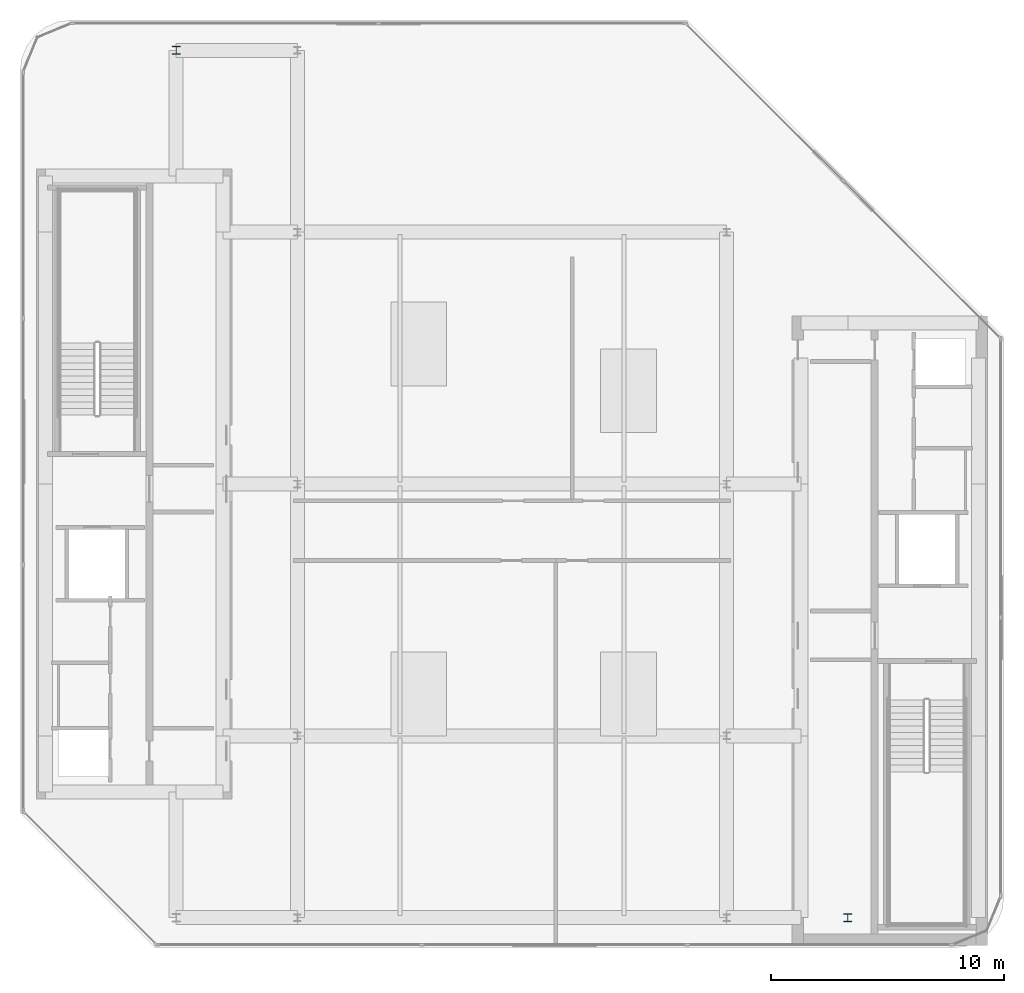
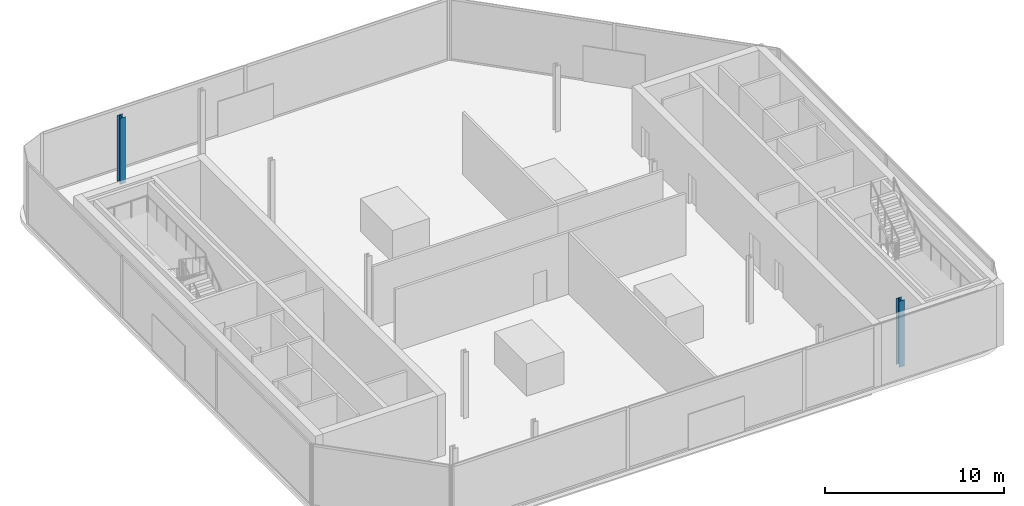
# One storey, part 2 of 15: 2 columns.
"""IFC4 building model written with IfcOpenShell, lengths in metres."""

import ifcopenshell
import ifcopenshell.guid

model = None  # the IFC model being written
_history = None  # IfcOwnerHistory: only IFC2X3 demands one
_inside = {}  # id of a spatial element -> (the spatial element, [elements in it])
_under = {}  # id of a project, library or spatial element -> (it, [spatial elements below it])
_declared = {}  # id of a project -> (the project, [libraries it declares])
_typed = {}  # id of a type object -> (the type object, [elements of that type])
_made_of = {}  # id of a material, layer set ... -> (it, [elements and type objects made of it])


def new_model(schema):
    """Start an empty IFC model of exactly this schema.

    Asked for "IFC4X3", IfcOpenShell would pick the latest addendum, in which some entities
    have other attributes; the version numbers below select the first issue.
    IFC2X3 requires an IfcOwnerHistory on every rooted entity: one is made here for all.
    """
    global model, _history
    if schema == "IFC4X3":
        model = ifcopenshell.file(schema_version=(4, 3, 0, 0))
    else:
        model = ifcopenshell.file(schema=schema)
    _inside.clear()
    _under.clear()
    _declared.clear()
    _typed.clear()
    _made_of.clear()
    _history = None
    if model.schema == "IFC2X3":
        org = make("IfcOrganization", Name="unknown")
        user = make(
            "IfcPersonAndOrganization",
            ThePerson=make("IfcPerson", FamilyName="unknown"),
            TheOrganization=org,
        )
        app = make(
            "IfcApplication",
            ApplicationDeveloper=org,
            Version="unknown",
            ApplicationFullName="unknown",
            ApplicationIdentifier="unknown",
        )
        _history = make(
            "IfcOwnerHistory",
            OwningUser=user,
            OwningApplication=app,
            ChangeAction="ADDED",
            CreationDate=0,
        )
    return model


def make(cls, **values):
    """One entity of the class cls with the attributes given. An attribute that is None is left unset."""
    return model.create_entity(
        cls, **{name: value for name, value in values.items() if value is not None}
    )


def rooted(cls, **values):
    """An entity with a GlobalId (a new one), such as an element, a storey or a relation."""
    return make(cls, GlobalId=ifcopenshell.guid.new(), OwnerHistory=_history, **values)


def si_unit(unit_type, name, prefix=None):
    """IfcSIUnit, for example si_unit("LENGTHUNIT", "METRE", prefix="MILLI")."""
    return make("IfcSIUnit", UnitType=unit_type, Prefix=prefix, Name=name)


def assignment(units):
    """IfcUnitAssignment: the units of a project."""
    return None if units is None else make("IfcUnitAssignment", Units=units)


def point(xyz):
    """IfcCartesianPoint."""
    return None if xyz is None else make("IfcCartesianPoint", Coordinates=xyz)


def direction(xyz):
    """IfcDirection."""
    return None if xyz is None else make("IfcDirection", DirectionRatios=xyz)


def frame(location, z_axis=None, x_axis=None):
    """IfcAxis2Placement3D, a coordinate frame: its origin and axes. An axis left out is left unset."""
    return make(
        "IfcAxis2Placement3D",
        Location=point(location),
        Axis=direction(z_axis),
        RefDirection=direction(x_axis),
    )


def frame_2d(location, x_axis=None):
    """IfcAxis2Placement2D, a coordinate frame in the plane: its origin and x axis."""
    return make(
        "IfcAxis2Placement2D", Location=point(location), RefDirection=direction(x_axis)
    )


def origin():
    """The frame at (0, 0, 0) with its axes left unset."""
    return frame((0.0, 0.0, 0.0))


def origin_2d():
    """The frame at (0, 0) in the plane with its x axis left unset."""
    return frame_2d((0.0, 0.0))


def place(relative_to, where):
    """IfcLocalPlacement: puts the frame where relative to a parent placement (None: the world)."""
    return make(
        "IfcLocalPlacement", PlacementRelTo=relative_to, RelativePlacement=where
    )


def context(
    kind, dimensions, precision=None, world=None, true_north=None, identifier=None
):
    """IfcGeometricRepresentationContext, for example the 3D "Model" context."""
    return make(
        "IfcGeometricRepresentationContext",
        ContextIdentifier=identifier,
        ContextType=kind,
        CoordinateSpaceDimension=dimensions,
        Precision=precision,
        WorldCoordinateSystem=world,
        TrueNorth=true_north,
    )


def subcontext(parent, identifier, kind, view, scale=None):
    """IfcGeometricRepresentationSubContext, for example "Body" below "Model"."""
    return make(
        "IfcGeometricRepresentationSubContext",
        ContextIdentifier=identifier,
        ContextType=kind,
        ParentContext=parent,
        TargetScale=scale,
        TargetView=view,
    )


def project(units=None, contexts=None):
    """IfcProject with its units and contexts."""
    return rooted(
        "IfcProject",
        Name="project",
        RepresentationContexts=contexts,
        UnitsInContext=assignment(units),
    )


def spatial(cls, under=None, at=None, **own):
    """A site, building, storey or space (cls), placed at a placement, below another one or the project."""
    s = rooted(cls, ObjectPlacement=at, **own)
    if under is not None:
        _under.setdefault(under.id(), (under, []))[1].append(s)
    return s


def profile(cls, at=None, kind="AREA", **sizes):
    """A parametric profile (cls). Its sizes go by their IFC names, for example OverallWidth=200.0."""
    return make(cls, ProfileType=kind, Position=at, **sizes)


def i_section(**sizes):
    """IfcIShapeProfileDef."""
    return profile("IfcIShapeProfileDef", **sizes)


def extrude(swept, where, along, depth):
    """IfcExtrudedAreaSolid: the profile swept, set in the frame where, extruded along a direction by depth."""
    return make(
        "IfcExtrudedAreaSolid",
        SweptArea=swept,
        Position=where,
        ExtrudedDirection=direction(along),
        Depth=depth,
    )


def shape(context_of_items, identifier, shape_type, items):
    """IfcShapeRepresentation: the items that make up one representation, for example the "Body"."""
    return make(
        "IfcShapeRepresentation",
        ContextOfItems=context_of_items,
        RepresentationIdentifier=identifier,
        RepresentationType=shape_type,
        Items=items,
    )


def material(Name=None, Category=None):
    """IfcMaterial."""
    return make("IfcMaterial", Name=Name, Category=Category)


def material_profile(
    of_material, cross_section, Name=None, Category=None, Priority=None
):
    """IfcMaterialProfile: a cross section and its material."""
    return make(
        "IfcMaterialProfile",
        Name=Name,
        Material=of_material,
        Profile=cross_section,
        Priority=Priority,
        Category=Category,
    )


def profile_set(profiles, Name=None, composite=None):
    """IfcMaterialProfileSet."""
    return make(
        "IfcMaterialProfileSet",
        Name=Name,
        MaterialProfiles=profiles,
        CompositeProfile=composite,
    )


def made_of(thing, what):
    """Note that an element or type object is made of a material, layer set ...; save() writes the relation."""
    if what is not None:
        _made_of.setdefault(what.id(), (what, []))[1].append(thing)
    return thing


def type_object(cls, material=None, **own):
    """A type object (cls), such as IfcWallType, which elements share."""
    return made_of(rooted(cls, **own), material)


def element(
    cls,
    number,
    at=None,
    inside=None,
    cuts=None,
    type_object=None,
    material=None,
    context=None,
    identifier="Body",
    shape_type=None,
    held_by="IfcProductDefinitionShape",
    body=None,
    shapes=None,
    **own,
):
    """One element of the class cls, such as IfcWall. Its Tag is "e" and its number.

    at: its placement. inside: the storey or other place that contains it. cuts: it is an
    opening in that element (IfcRelVoidsElement). A single representation is given by context,
    identifier, shape_type and body (its items); several are given by shapes. held_by: the class
    of the entity that holds the representations. save() writes the other relations.
    """
    e = rooted(cls, Tag="e%d" % number, ObjectPlacement=at, **own)
    if body is not None:
        shapes = [shape(context, identifier, shape_type, body)]
    if shapes is not None:
        e.Representation = make(held_by, Representations=shapes)
    if inside is not None:
        _inside.setdefault(inside.id(), (inside, []))[1].append(e)
    if cuts is not None:
        rooted(
            "IfcRelVoidsElement", RelatingBuildingElement=cuts, RelatedOpeningElement=e
        )
    if type_object is not None:
        _typed.setdefault(type_object.id(), (type_object, []))[1].append(e)
    return made_of(e, material)


def aggregate(whole, parts):
    """IfcRelAggregates: a whole, such as a stair, and the parts it consists of."""
    return rooted("IfcRelAggregates", RelatingObject=whole, RelatedObjects=parts)


def save(model, path):
    """Write the relations noted so far, then the file.

    IfcRelAggregates (storeys below a building ...), IfcRelContainedInSpatialStructure (elements
    in a storey), IfcRelDefinesByType, IfcRelAssociatesMaterial and IfcRelDeclares: one each for
    every whole, place, type object, material and project.
    """
    for whole, parts in _under.values():
        aggregate(whole, parts)
    for where, things in _inside.values():
        rooted(
            "IfcRelContainedInSpatialStructure",
            RelatedElements=things,
            RelatingStructure=where,
        )
    for kind, things in _typed.values():
        rooted("IfcRelDefinesByType", RelatedObjects=things, RelatingType=kind)
    for what, things in _made_of.values():
        rooted("IfcRelAssociatesMaterial", RelatedObjects=things, RelatingMaterial=what)
    for by, libraries in _declared.values():
        rooted("IfcRelDeclares", RelatingContext=by, RelatedDefinitions=libraries)
    model.write(path)


model = new_model("IFC4")

# Units and contexts
model_context = context("Model", 3, precision=1e-05, world=origin(), true_north=direction((0.0, 1.0)))
body_context = subcontext(model_context, "Body", "Model", "MODEL_VIEW")
ifc_project = project(units=[si_unit("LENGTHUNIT", "METRE"), si_unit("AREAUNIT", "SQUARE_METRE"), si_unit("VOLUMEUNIT", "CUBIC_METRE"), si_unit("PLANEANGLEUNIT", "RADIAN"), si_unit("MASSUNIT", "GRAM", prefix="KILO")], contexts=[model_context])

# Site, building, storey
site_placement = place(None, origin())
site = spatial("IfcSite", under=ifc_project, at=site_placement, CompositionType="ELEMENT")
building_placement = place(site_placement, origin())
building = spatial("IfcBuilding", under=site, at=building_placement, Name="Khairoan Windgate Tower", CompositionType="ELEMENT")
storey_placement = place(building_placement, frame((0.0, 0.0, 335.0)))
storey = spatial("IfcBuildingStorey", under=building, at=storey_placement, Name="L80", CompositionType="ELEMENT", Elevation=335.0)

# Columns
ifc_material = material(Name="Steel S355", Category="steel")
ifc_material_profile = material_profile(ifc_material, i_section(OverallWidth=0.35009765625, OverallDepth=0.35009765625, WebThickness=0.011962890625, FlangeThickness=0.01904296875, FilletRadius=0.02001953125, at=origin_2d()))
ifc_profile_set = profile_set([ifc_material_profile], Name="Steel S355")
column_type = type_object("IfcColumnType", Name="Steel Column SC5 H350x350x12x19", PredefinedType="COLUMN", material=ifc_profile_set)
for number, where, z_axis, x_axis, name in (
    (1, (-14.39990234375, 18.60009765625, 0.0), (0.0, 0.0, 1.0), (1.0, 0.0, 0.0), "Column L80-11"),
    (2, (14.39990234375, -18.60009765625, 0.0), (0.0, 0.0, 1.0), (1.0, 0.0, 0.0), "Column L80-12"),
):
    element("IfcColumn", number, at=place(storey_placement, frame(where, z_axis=z_axis, x_axis=x_axis)), inside=storey, type_object=column_type, Name=name, PredefinedType="COLUMN", context=body_context, shape_type="SweptSolid", body=[
        extrude(i_section(OverallWidth=0.35009765625, OverallDepth=0.35009765625, WebThickness=0.011962890625, FlangeThickness=0.01904296875, FilletRadius=0.02001953125, at=origin_2d()), origin(), (0.0, 0.0, 1.0), 4.5),
    ])

save(model, "model.ifc")
